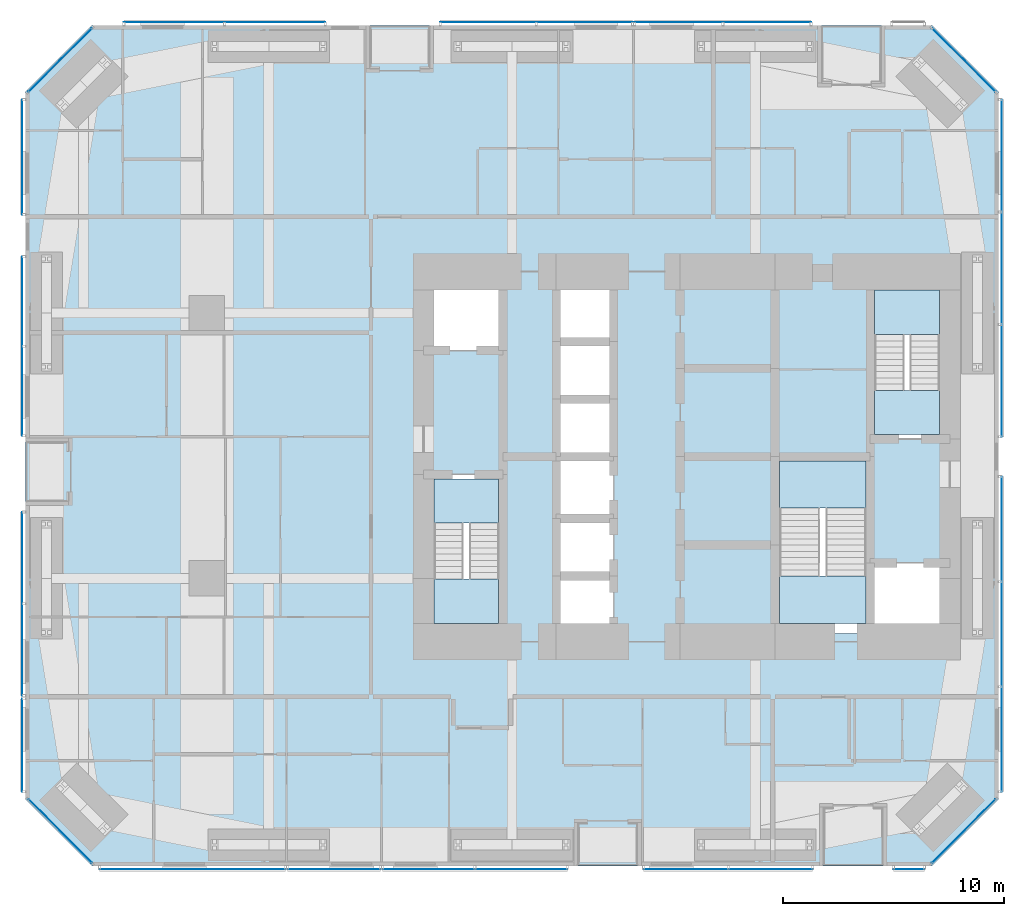
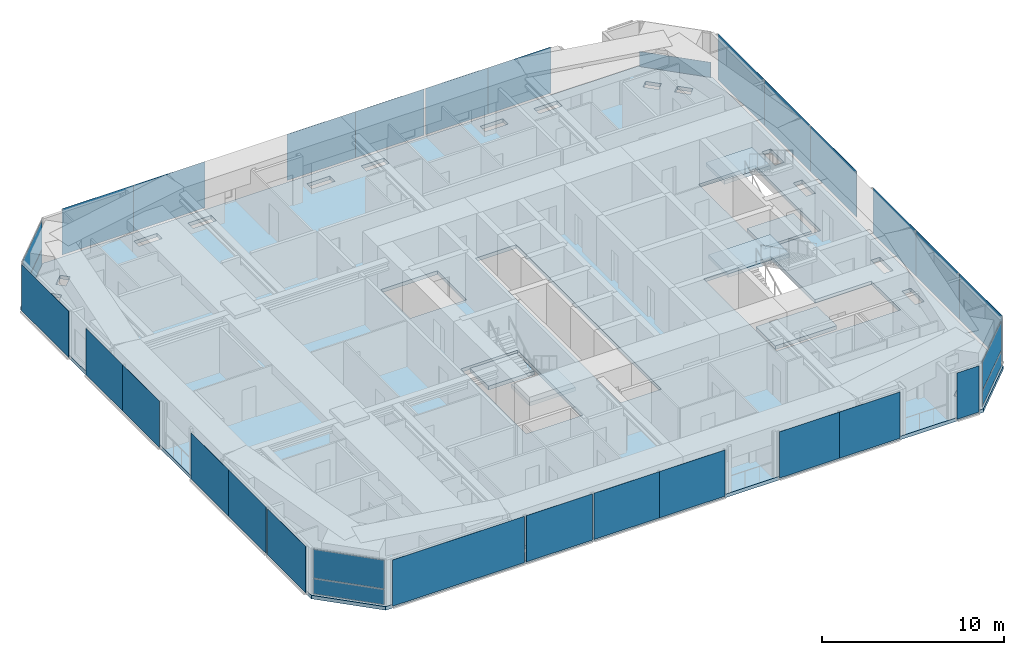
# One storey, part 16 of 24: 32 plates, 7 slabs, 21 elements without a shape of their own.
"""IFC4 building model written with IfcOpenShell, lengths in metres."""

from ifc_helpers import new_model, si_unit, direction, frame, origin, origin_2d, place, context, subcontext, project, spatial, polyline, rectangle, outline, extrude, material, layer, layer_set, type_object, element, aggregate, save


model = new_model("IFC4")

# Units and contexts
model_context = context("Model", 3, precision=1e-05, world=origin(), true_north=direction((0.0, 1.0)))
body_context = subcontext(model_context, "Body", "Model", "MODEL_VIEW")
ifc_project = project(units=[si_unit("LENGTHUNIT", "METRE"), si_unit("AREAUNIT", "SQUARE_METRE"), si_unit("VOLUMEUNIT", "CUBIC_METRE"), si_unit("PLANEANGLEUNIT", "RADIAN"), si_unit("MASSUNIT", "GRAM", prefix="KILO")], contexts=[model_context])

# Site, building, storey
site_placement = place(None, origin())
site = spatial("IfcSite", under=ifc_project, at=site_placement, CompositionType="ELEMENT")
building_placement = place(site_placement, origin())
building = spatial("IfcBuilding", under=site, at=building_placement, Name="Jalousie Tower", CompositionType="ELEMENT")
storey_placement = place(building_placement, frame((0.0, 0.0, 57.85009765625)))
storey = spatial("IfcBuildingStorey", under=building, at=storey_placement, Name="L15", CompositionType="ELEMENT", Elevation=57.85009765625)

# Curtain wall, plates
ifc_material_1 = material(Name="Aluminium curtain wall", Category="aluminium")
curtain_wall_type_1 = type_object("IfcCurtainWallType", Name="CORNER WINDOW WALL", PredefinedType="USERDEFINED", material=ifc_material_1)
curtain_wall_1_placement = place(storey_placement, origin())
curtain_wall_1 = element("IfcCurtainWall", 1, at=curtain_wall_1_placement, inside=storey, type_object=curtain_wall_type_1, Name="Corner Window Wall L15 2", ObjectType="CORNER WINDOW WALL", PredefinedType="USERDEFINED")
ifc_material_2 = material(Name="Laminated impact-rated spandrel glass", Category="glass")
ifc_layer_1 = layer(ifc_material_2, 0.028076171875)
ifc_layer_set_1 = layer_set([ifc_layer_1], Name="Laminated impact-rated spandrel glass")
plate_type_1 = type_object("IfcPlateType", Name="CORNER WINDOW WALL PANEL", PredefinedType="CURTAIN_PANEL", material=ifc_layer_set_1)
plate_1_placement = place(storey_placement, frame((44.4306640625, 1.5693359375, 0.06005859375), z_axis=(0.0, 0.0, 1.0), x_axis=(0.707106781187, 0.707106781187, 0.0)))
plate_1 = element("IfcPlate", 2, at=plate_1_placement, type_object=plate_type_1, Name="CW-C panel 1.1", PredefinedType="CURTAIN_PANEL", context=body_context, shape_type="SweptSolid", body=[
    extrude(rectangle(XDim=4.071533203125, YDim=0.028076171875, at=origin_2d()), origin(), (0.0, 0.0, 1.0), 1.010009765625),
])
plate_2_placement = place(storey_placement, frame((44.4306640625, 1.5693359375, 1.1298828125), z_axis=(0.0, 0.0, 1.0), x_axis=(0.707106781187, 0.707106781187, 0.0)))
plate_2 = element("IfcPlate", 3, at=plate_2_placement, type_object=plate_type_1, Name="CW-C panel 1.2", PredefinedType="CURTAIN_PANEL", context=body_context, shape_type="SweptSolid", body=[
    extrude(rectangle(XDim=4.071533203125, YDim=0.028076171875, at=origin_2d()), origin(), (0.0, 0.0, 1.0), 1.919921875),
])
aggregate(curtain_wall_1, [plate_1, plate_2])

# Curtain wall, plate
curtain_wall_2_placement = place(storey_placement, origin())
curtain_wall_2 = element("IfcCurtainWall", 4, at=curtain_wall_2_placement, inside=storey, type_object=curtain_wall_type_1, Name="Corner Window Wall L15 4", ObjectType="CORNER WINDOW WALL", PredefinedType="USERDEFINED")
plate_3_placement = place(storey_placement, frame((44.4306640625, 36.4306640625, 0.06005859375), z_axis=(0.0, 0.0, 1.0), x_axis=(-0.707106781187, 0.707106781187, 0.0)))
plate_3 = element("IfcPlate", 5, at=plate_3_placement, type_object=plate_type_1, Name="CW-C panel 1.1", PredefinedType="CURTAIN_PANEL", context=body_context, shape_type="SweptSolid", body=[
    extrude(rectangle(XDim=4.071533203125, YDim=0.028076171875, at=origin_2d()), origin(), (0.0, 0.0, 1.0), 1.010009765625),
])
aggregate(curtain_wall_2, [plate_3])

# Curtain wall, plates
curtain_wall_3_placement = place(storey_placement, origin())
curtain_wall_3 = element("IfcCurtainWall", 6, at=curtain_wall_3_placement, inside=storey, type_object=curtain_wall_type_1, Name="Corner Window Wall L15 6", ObjectType="CORNER WINDOW WALL", PredefinedType="USERDEFINED")
plate_4_placement = place(storey_placement, frame((3.5693359375, 36.4306640625, 0.06005859375), z_axis=(0.0, 0.0, 1.0), x_axis=(-0.707106781187, -0.707106781187, 0.0)))
plate_4 = element("IfcPlate", 7, at=plate_4_placement, type_object=plate_type_1, Name="CW-C panel 1.1", PredefinedType="CURTAIN_PANEL", context=body_context, shape_type="SweptSolid", body=[
    extrude(rectangle(XDim=4.071533203125, YDim=0.028076171875, at=origin_2d()), origin(), (0.0, 0.0, 1.0), 1.010009765625),
])
plate_5_placement = place(storey_placement, frame((3.5693359375, 36.4306640625, 1.1298828125), z_axis=(0.0, 0.0, 1.0), x_axis=(-0.707106781187, -0.707106781187, 0.0)))
plate_5 = element("IfcPlate", 8, at=plate_5_placement, type_object=plate_type_1, Name="CW-C panel 1.2", PredefinedType="CURTAIN_PANEL", context=body_context, shape_type="SweptSolid", body=[
    extrude(rectangle(XDim=4.071533203125, YDim=0.028076171875, at=origin_2d()), origin(), (0.0, 0.0, 1.0), 1.919921875),
])
aggregate(curtain_wall_3, [plate_4, plate_5])

curtain_wall_4_placement = place(storey_placement, origin())
curtain_wall_4 = element("IfcCurtainWall", 9, at=curtain_wall_4_placement, inside=storey, type_object=curtain_wall_type_1, Name="Corner Window Wall L15 8", ObjectType="CORNER WINDOW WALL", PredefinedType="USERDEFINED")
plate_6_placement = place(storey_placement, frame((3.5693359375, 1.5693359375, 0.06005859375), z_axis=(0.0, 0.0, 1.0), x_axis=(0.707106781187, -0.707106781187, 0.0)))
plate_6 = element("IfcPlate", 10, at=plate_6_placement, type_object=plate_type_1, Name="CW-C panel 1.1", PredefinedType="CURTAIN_PANEL", context=body_context, shape_type="SweptSolid", body=[
    extrude(rectangle(XDim=4.071533203125, YDim=0.028076171875, at=origin_2d()), origin(), (0.0, 0.0, 1.0), 1.010009765625),
])
plate_7_placement = place(storey_placement, frame((3.5693359375, 1.5693359375, 1.1298828125), z_axis=(0.0, 0.0, 1.0), x_axis=(0.707106781187, -0.707106781187, 0.0)))
plate_7 = element("IfcPlate", 11, at=plate_7_placement, type_object=plate_type_1, Name="CW-C panel 1.2", PredefinedType="CURTAIN_PANEL", context=body_context, shape_type="SweptSolid", body=[
    extrude(rectangle(XDim=4.071533203125, YDim=0.028076171875, at=origin_2d()), origin(), (0.0, 0.0, 1.0), 1.919921875),
])
aggregate(curtain_wall_4, [plate_6, plate_7])

# Slab
ifc_material_3 = material(Name="Concrete f'c 40 MPa", Category="concrete")
ifc_layer_2 = layer(ifc_material_3, 0.239990234375)
ifc_layer_set_2 = layer_set([ifc_layer_2], Name="Concrete f'c 40 MPa")
slab_type_1 = type_object("IfcSlabType", Name="FLOOR SLAB 240", PredefinedType="FLOOR", material=ifc_layer_set_2)
slab_1_placement = place(storey_placement, frame((0.0, 0.0, -0.239990234375)))
element("IfcSlab", 12, at=slab_1_placement, inside=storey, type_object=slab_type_1, Name="L15 floor slab", PredefinedType="FLOOR", context=body_context, shape_type="SweptSolid", body=[
    extrude(outline(polyline([(5.0, 0.0), (43.0, 0.0), (46.0, 3.0), (46.0, 35.0), (43.0, 38.0), (5.0, 38.0), (2.0, 35.0), (2.0, 3.0), (5.0, 0.0)]), holes=[polyline([(24.986083984375, 0.663818359375), (24.986083984375, 1.236083984375), (26.390380859375, 1.236083984375), (26.449951171875, 1.236083984375), (26.449951171875, 0.663818359375), (26.390380859375, 0.663818359375), (24.986083984375, 0.663818359375)]), polyline([(23.013916015625, 1.236083984375), (23.013916015625, 0.663818359375), (21.609619140625, 0.663818359375), (21.550048828125, 0.663818359375), (21.550048828125, 1.236083984375), (21.609619140625, 1.236083984375), (23.013916015625, 1.236083984375)]), polyline([(10.550048828125, 1.236083984375), (10.609619140625, 1.236083984375), (12.013916015625, 1.236083984375), (12.013916015625, 0.663818359375), (10.609619140625, 0.663818359375), (10.550048828125, 0.663818359375), (10.550048828125, 1.236083984375)]), polyline([(13.986083984375, 1.236083984375), (15.390380859375, 1.236083984375), (15.449951171875, 1.236083984375), (15.449951171875, 0.663818359375), (15.390380859375, 0.663818359375), (13.986083984375, 0.663818359375), (13.986083984375, 1.236083984375)]), polyline([(5.788330078125, 1.879150390625), (5.788330078125, 1.879150390625), (5.5859375, 1.6767578125), (5.383544921875, 1.474365234375), (4.750244140625, 2.10791015625), (5.155029296875, 2.5126953125), (5.788330078125, 1.879150390625), (5.788330078125, 1.879150390625)]), polyline([(3.96533203125, 3.7021484375), (4.5126953125, 3.155029296875), (4.10791015625, 2.750244140625), (3.560791015625, 3.29736328125), (3.474365234375, 3.383544921875), (3.879150390625, 3.788330078125), (3.96533203125, 3.7021484375), (3.96533203125, 3.7021484375)]), polyline([(3.236083984375, 10.550048828125), (2.663818359375, 10.550048828125), (2.663818359375, 10.609619140625), (2.663818359375, 12.013916015625), (3.236083984375, 12.013916015625), (3.236083984375, 10.609619140625), (3.236083984375, 10.550048828125)]), polyline([(26.0, 10.5), (26.0, 26.5), (28.60009765625, 26.5), (28.60009765625, 10.5), (26.0, 10.5)]), polyline([(20.0, 10.5), (23.60009765625, 10.5), (23.60009765625, 17.699951171875), (20.0, 17.699951171875), (20.0, 10.5)]), polyline([(3.236083984375, 15.390380859375), (3.236083984375, 13.986083984375), (2.663818359375, 13.986083984375), (2.663818359375, 15.390380859375), (2.663818359375, 15.449951171875), (3.236083984375, 15.449951171875), (3.236083984375, 15.390380859375)]), polyline([(2.663818359375, 24.013916015625), (3.236083984375, 24.013916015625), (3.236083984375, 22.609619140625), (3.236083984375, 22.550048828125), (2.663818359375, 22.550048828125), (2.663818359375, 22.609619140625), (2.663818359375, 24.013916015625)]), polyline([(20.0, 23.300048828125), (23.60009765625, 23.300048828125), (23.60009765625, 26.5), (20.0, 26.5), (20.0, 23.300048828125)]), polyline([(3.236083984375, 25.986083984375), (2.663818359375, 25.986083984375), (2.663818359375, 27.390380859375), (2.663818359375, 27.449951171875), (3.236083984375, 27.449951171875), (3.236083984375, 27.390380859375), (3.236083984375, 25.986083984375)]), polyline([(3.474365234375, 34.616455078125), (4.10791015625, 35.249755859375), (4.5126953125, 34.844970703125), (3.879150390625, 34.211669921875), (3.879150390625, 34.211669921875), (3.6767578125, 34.4140625), (3.474365234375, 34.616455078125)]), polyline([(5.788330078125, 36.120849609375), (5.73291015625, 36.0654296875), (5.7021484375, 36.03466796875), (5.7021484375, 36.03466796875), (5.155029296875, 35.4873046875), (4.750244140625, 35.89208984375), (5.383544921875, 36.525634765625), (5.5859375, 36.3232421875), (5.788330078125, 36.120849609375), (5.788330078125, 36.120849609375), (5.788330078125, 36.120849609375)]), polyline([(15.449951171875, 37.336181640625), (15.449951171875, 36.763916015625), (15.390380859375, 36.763916015625), (13.986083984375, 36.763916015625), (13.986083984375, 37.336181640625), (15.390380859375, 37.336181640625), (15.449951171875, 37.336181640625)]), polyline([(23.013916015625, 36.763916015625), (21.609619140625, 36.763916015625), (21.550048828125, 36.763916015625), (21.550048828125, 37.336181640625), (21.609619140625, 37.336181640625), (23.013916015625, 37.336181640625), (23.013916015625, 36.763916015625)]), polyline([(10.550048828125, 36.763916015625), (10.550048828125, 37.336181640625), (10.609619140625, 37.336181640625), (12.013916015625, 37.336181640625), (12.013916015625, 36.763916015625), (10.609619140625, 36.763916015625), (10.550048828125, 36.763916015625)]), polyline([(24.986083984375, 37.336181640625), (26.390380859375, 37.336181640625), (26.449951171875, 37.336181640625), (26.449951171875, 36.763916015625), (26.390380859375, 36.763916015625), (24.986083984375, 36.763916015625), (24.986083984375, 37.336181640625)]), polyline([(32.609619140625, 0.663818359375), (32.550048828125, 0.663818359375), (32.550048828125, 1.236083984375), (32.609619140625, 1.236083984375), (34.013916015625, 1.236083984375), (34.013916015625, 0.663818359375), (32.609619140625, 0.663818359375)]), polyline([(37.390380859375, 1.236083984375), (37.449951171875, 1.236083984375), (37.449951171875, 0.663818359375), (37.390380859375, 0.663818359375), (35.986083984375, 0.663818359375), (35.986083984375, 1.236083984375), (37.390380859375, 1.236083984375)]), polyline([(42.616455078125, 1.474365234375), (42.4140625, 1.6767578125), (42.211669921875, 1.879150390625), (42.211669921875, 1.879150390625), (42.211669921875, 1.879150390625), (42.844970703125, 2.5126953125), (43.249755859375, 2.10791015625), (42.616455078125, 1.474365234375)]), polyline([(44.03466796875, 3.7021484375), (44.03466796875, 3.7021484375), (44.060791015625, 3.728271484375), (44.120849609375, 3.788330078125), (44.120849609375, 3.788330078125), (44.120849609375, 3.788330078125), (44.3232421875, 3.5859375), (44.525634765625, 3.383544921875), (43.89208984375, 2.750244140625), (43.4873046875, 3.155029296875), (44.03466796875, 3.7021484375)]), polyline([(45.336181640625, 10.550048828125), (44.763916015625, 10.550048828125), (44.763916015625, 10.609619140625), (44.763916015625, 12.013916015625), (45.336181640625, 12.013916015625), (45.336181640625, 10.609619140625), (45.336181640625, 10.550048828125)]), polyline([(35.89990234375, 10.5), (35.89990234375, 18.5), (40.199951171875, 18.5), (40.199951171875, 13.699951171875), (43.800048828125, 13.699951171875), (43.800048828125, 10.5), (35.89990234375, 10.5)]), polyline([(45.336181640625, 13.986083984375), (44.763916015625, 13.986083984375), (44.763916015625, 15.390380859375), (44.763916015625, 15.449951171875), (45.336181640625, 15.449951171875), (45.336181640625, 15.390380859375), (45.336181640625, 13.986083984375)]), polyline([(40.199951171875, 19.300048828125), (43.800048828125, 19.300048828125), (43.800048828125, 26.5), (40.199951171875, 26.5), (40.199951171875, 19.300048828125)]), polyline([(45.336181640625, 22.550048828125), (44.763916015625, 22.550048828125), (44.763916015625, 22.609619140625), (44.763916015625, 24.013916015625), (45.336181640625, 24.013916015625), (45.336181640625, 22.609619140625), (45.336181640625, 22.550048828125)]), polyline([(45.336181640625, 27.390380859375), (45.336181640625, 25.986083984375), (44.763916015625, 25.986083984375), (44.763916015625, 27.390380859375), (44.763916015625, 27.449951171875), (45.336181640625, 27.449951171875), (45.336181640625, 27.390380859375)]), polyline([(44.120849609375, 34.211669921875), (44.03466796875, 34.2978515625), (43.4873046875, 34.844970703125), (43.89208984375, 35.249755859375), (44.525634765625, 34.616455078125), (44.525634765625, 34.616455078125), (44.525634765625, 34.616455078125), (44.3232421875, 34.4140625), (44.120849609375, 34.211669921875)]), polyline([(42.616455078125, 36.525634765625), (42.616455078125, 36.525634765625), (43.249755859375, 35.89208984375), (42.844970703125, 35.4873046875), (42.2978515625, 36.03466796875), (42.211669921875, 36.120849609375), (42.4140625, 36.3232421875), (42.616455078125, 36.525634765625), (42.616455078125, 36.525634765625)]), polyline([(37.390380859375, 37.336181640625), (37.449951171875, 37.336181640625), (37.449951171875, 36.763916015625), (37.390380859375, 36.763916015625), (35.986083984375, 36.763916015625), (35.986083984375, 37.336181640625), (37.390380859375, 37.336181640625)]), polyline([(34.013916015625, 37.336181640625), (34.013916015625, 36.763916015625), (32.609619140625, 36.763916015625), (32.550048828125, 36.763916015625), (32.550048828125, 37.336181640625), (32.609619140625, 37.336181640625), (34.013916015625, 37.336181640625)])]), origin(), (0.0, 0.0, 1.0), 0.239990234375),
])

# Curtain wall, plate
ifc_material_4 = material(Name="Perforated aluminium sheet", Category="aluminium")
curtain_wall_type_2 = type_object("IfcCurtainWallType", Name="SOLAR SCREEN SS-1", PredefinedType="USERDEFINED", material=ifc_material_4)
curtain_wall_5_placement = place(storey_placement, origin())
curtain_wall_5 = element("IfcCurtainWall", 13, at=curtain_wall_5_placement, inside=storey, type_object=curtain_wall_type_2, Name="Solar screen L15", ObjectType="SOLAR SCREEN SS-1", PredefinedType="USERDEFINED")
ifc_material_5 = material(Name="Perforated aluminium sheet", Category="aluminium")
ifc_layer_3 = layer(ifc_material_5, 0.006103515625)
ifc_layer_set_3 = layer_set([ifc_layer_3], Name="Perforated aluminium sheet")
plate_type_2 = type_object("IfcPlateType", Name="SOLAR SCREEN SS-1 PANEL", PredefinedType="CURTAIN_PANEL", material=ifc_layer_set_3)
plate_8_placement = place(storey_placement, frame((9.55078125, -0.150390625, 0.0), z_axis=(0.0, 0.0, 1.0), x_axis=(1.0, 0.0, 0.0)))
plate_8 = element("IfcPlate", 14, at=plate_8_placement, type_object=plate_type_2, Name="SS1 perforated panel 1", PredefinedType="CURTAIN_PANEL", context=body_context, shape_type="SweptSolid", body=[
    extrude(rectangle(XDim=8.398681640625, YDim=0.006103515625, at=origin_2d()), origin(), (0.0, 0.0, 1.0), 3.110107421875),
])
aggregate(curtain_wall_5, [plate_8])

curtain_wall_6_placement = place(storey_placement, origin())
curtain_wall_6 = element("IfcCurtainWall", 15, at=curtain_wall_6_placement, inside=storey, type_object=curtain_wall_type_2, Name="Solar screen L15", ObjectType="SOLAR SCREEN SS-1", PredefinedType="USERDEFINED")
plate_9_placement = place(storey_placement, frame((15.949951171875, -0.150390625, 0.0), z_axis=(0.0, 0.0, 1.0), x_axis=(1.0, 0.0, 0.0)))
plate_9 = element("IfcPlate", 16, at=plate_9_placement, type_object=plate_type_2, Name="SS1 perforated panel 1", PredefinedType="CURTAIN_PANEL", context=body_context, shape_type="SweptSolid", body=[
    extrude(rectangle(XDim=4.199951171875, YDim=0.006103515625, at=origin_2d()), origin(), (0.0, 0.0, 1.0), 3.110107421875),
])
aggregate(curtain_wall_6, [plate_9])

# Curtain wall, plates
curtain_wall_7_placement = place(storey_placement, origin())
curtain_wall_7 = element("IfcCurtainWall", 17, at=curtain_wall_7_placement, inside=storey, type_object=curtain_wall_type_2, Name="Solar screen L15", ObjectType="SOLAR SCREEN SS-1", PredefinedType="USERDEFINED")
plate_10_placement = place(storey_placement, frame((20.237548828125, -0.150390625, 0.0), z_axis=(0.0, 0.0, 1.0), x_axis=(1.0, 0.0, 0.0)))
plate_10 = element("IfcPlate", 18, at=plate_10_placement, type_object=plate_type_2, Name="SS1 perforated panel 1", PredefinedType="CURTAIN_PANEL", context=body_context, shape_type="SweptSolid", body=[
    extrude(rectangle(XDim=4.175048828125, YDim=0.006103515625, at=origin_2d()), origin(), (0.0, 0.0, 1.0), 3.110107421875),
])
plate_11_placement = place(storey_placement, frame((24.41259765625, -0.150390625, 0.0), z_axis=(0.0, 0.0, 1.0), x_axis=(1.0, 0.0, 0.0)))
plate_11 = element("IfcPlate", 19, at=plate_11_placement, type_object=plate_type_2, Name="SS1 perforated panel 2", PredefinedType="CURTAIN_PANEL", context=body_context, shape_type="SweptSolid", body=[
    extrude(rectangle(XDim=4.175048828125, YDim=0.006103515625, at=origin_2d()), origin(), (0.0, 0.0, 1.0), 3.110107421875),
])
aggregate(curtain_wall_7, [plate_10, plate_11])

curtain_wall_8_placement = place(storey_placement, origin())
curtain_wall_8 = element("IfcCurtainWall", 20, at=curtain_wall_8_placement, inside=storey, type_object=curtain_wall_type_2, Name="Solar screen L15", ObjectType="SOLAR SCREEN SS-1", PredefinedType="USERDEFINED")
plate_12_placement = place(storey_placement, frame((31.862548828125, -0.150390625, 0.0), z_axis=(0.0, 0.0, 1.0), x_axis=(1.0, 0.0, 0.0)))
plate_12 = element("IfcPlate", 21, at=plate_12_placement, type_object=plate_type_2, Name="SS1 perforated panel 1", PredefinedType="CURTAIN_PANEL", context=body_context, shape_type="SweptSolid", body=[
    extrude(rectangle(XDim=3.824951171875, YDim=0.006103515625, at=origin_2d()), origin(), (0.0, 0.0, 1.0), 3.110107421875),
])
plate_13_placement = place(storey_placement, frame((35.6875, -0.150390625, 0.0), z_axis=(0.0, 0.0, 1.0), x_axis=(1.0, 0.0, 0.0)))
plate_13 = element("IfcPlate", 22, at=plate_13_placement, type_object=plate_type_2, Name="SS1 perforated panel 2", PredefinedType="CURTAIN_PANEL", context=body_context, shape_type="SweptSolid", body=[
    extrude(rectangle(XDim=3.824951171875, YDim=0.006103515625, at=origin_2d()), origin(), (0.0, 0.0, 1.0), 3.110107421875),
])
aggregate(curtain_wall_8, [plate_12, plate_13])

# Curtain wall, plate
curtain_wall_9_placement = place(storey_placement, origin())
curtain_wall_9 = element("IfcCurtainWall", 23, at=curtain_wall_9_placement, inside=storey, type_object=curtain_wall_type_2, Name="Solar screen L15", ObjectType="SOLAR SCREEN SS-1", PredefinedType="USERDEFINED")
plate_14_placement = place(storey_placement, frame((41.94921875, -0.150390625, 0.0), z_axis=(0.0, 0.0, 1.0), x_axis=(1.0, 0.0, 0.0)))
plate_14 = element("IfcPlate", 24, at=plate_14_placement, type_object=plate_type_2, Name="SS1 perforated panel 1", PredefinedType="CURTAIN_PANEL", context=body_context, shape_type="SweptSolid", body=[
    extrude(rectangle(XDim=1.398681640625, YDim=0.006103515625, at=origin_2d()), origin(), (0.0, 0.0, 1.0), 3.110107421875),
])
aggregate(curtain_wall_9, [plate_14])

# Curtain wall, plates
curtain_wall_10_placement = place(storey_placement, origin())
curtain_wall_10 = element("IfcCurtainWall", 25, at=curtain_wall_10_placement, inside=storey, type_object=curtain_wall_type_2, Name="Solar screen L15", ObjectType="SOLAR SCREEN SS-1", PredefinedType="USERDEFINED")
plate_15_placement = place(storey_placement, frame((46.150390625, 5.72607421875, 0.0), z_axis=(0.0, 0.0, 1.0), x_axis=(0.0, 1.0, 0.0)))
plate_15 = element("IfcPlate", 26, at=plate_15_placement, type_object=plate_type_2, Name="SS1 perforated panel 1", PredefinedType="CURTAIN_PANEL", context=body_context, shape_type="SweptSolid", body=[
    extrude(rectangle(XDim=4.74951171875, YDim=0.006103515625, at=origin_2d()), origin(), (0.0, 0.0, 1.0), 3.110107421875),
])
plate_16_placement = place(storey_placement, frame((46.150390625, 10.4755859375, 0.0), z_axis=(0.0, 0.0, 1.0), x_axis=(0.0, 1.0, 0.0)))
plate_16 = element("IfcPlate", 27, at=plate_16_placement, type_object=plate_type_2, Name="SS1 perforated panel 2", PredefinedType="CURTAIN_PANEL", context=body_context, shape_type="SweptSolid", body=[
    extrude(rectangle(XDim=4.74951171875, YDim=0.006103515625, at=origin_2d()), origin(), (0.0, 0.0, 1.0), 3.110107421875),
])
plate_17_placement = place(storey_placement, frame((46.150390625, 15.22509765625, 0.0), z_axis=(0.0, 0.0, 1.0), x_axis=(0.0, 1.0, 0.0)))
plate_17 = element("IfcPlate", 28, at=plate_17_placement, type_object=plate_type_2, Name="SS1 perforated panel 3", PredefinedType="CURTAIN_PANEL", context=body_context, shape_type="SweptSolid", body=[
    extrude(rectangle(XDim=4.74951171875, YDim=0.006103515625, at=origin_2d()), origin(), (0.0, 0.0, 1.0), 3.110107421875),
])
aggregate(curtain_wall_10, [plate_15, plate_16, plate_17])

curtain_wall_11_placement = place(storey_placement, origin())
curtain_wall_11 = element("IfcCurtainWall", 29, at=curtain_wall_11_placement, inside=storey, type_object=curtain_wall_type_2, Name="Solar screen L15", ObjectType="SOLAR SCREEN SS-1", PredefinedType="USERDEFINED")
plate_18_placement = place(storey_placement, frame((46.150390625, 21.94140625, 0.0), z_axis=(0.0, 0.0, 1.0), x_axis=(0.0, 1.0, 0.0)))
plate_18 = element("IfcPlate", 30, at=plate_18_placement, type_object=plate_type_2, Name="SS1 perforated panel 1", PredefinedType="CURTAIN_PANEL", context=body_context, shape_type="SweptSolid", body=[
    extrude(rectangle(XDim=5.0830078125, YDim=0.006103515625, at=origin_2d()), origin(), (0.0, 0.0, 1.0), 3.110107421875),
])
plate_19_placement = place(storey_placement, frame((46.150390625, 27.0244140625, 0.0), z_axis=(0.0, 0.0, 1.0), x_axis=(0.0, 1.0, 0.0)))
plate_19 = element("IfcPlate", 31, at=plate_19_placement, type_object=plate_type_2, Name="SS1 perforated panel 2", PredefinedType="CURTAIN_PANEL", context=body_context, shape_type="SweptSolid", body=[
    extrude(rectangle(XDim=5.0830078125, YDim=0.006103515625, at=origin_2d()), origin(), (0.0, 0.0, 1.0), 3.110107421875),
])
plate_20_placement = place(storey_placement, frame((46.150390625, 32.107177734375, 0.0), z_axis=(0.0, 0.0, 1.0), x_axis=(0.0, 1.0, 0.0)))
plate_20 = element("IfcPlate", 32, at=plate_20_placement, type_object=plate_type_2, Name="SS1 perforated panel 3", PredefinedType="CURTAIN_PANEL", context=body_context, shape_type="SweptSolid", body=[
    extrude(rectangle(XDim=5.0830078125, YDim=0.006103515625, at=origin_2d()), origin(), (0.0, 0.0, 1.0), 3.110107421875),
])
aggregate(curtain_wall_11, [plate_18, plate_19, plate_20])

curtain_wall_12_placement = place(storey_placement, origin())
curtain_wall_12 = element("IfcCurtainWall", 33, at=curtain_wall_12_placement, inside=storey, type_object=curtain_wall_type_2, Name="Solar screen L15", ObjectType="SOLAR SCREEN SS-1", PredefinedType="USERDEFINED")
plate_21_placement = place(storey_placement, frame((35.5302734375, 38.150390625, 0.0), z_axis=(0.0, 0.0, 1.0), x_axis=(-1.0, 0.0, 0.0)))
plate_21 = element("IfcPlate", 34, at=plate_21_placement, type_object=plate_type_2, Name="SS1 perforated panel 1", PredefinedType="CURTAIN_PANEL", context=body_context, shape_type="SweptSolid", body=[
    extrude(rectangle(XDim=3.98681640625, YDim=0.006103515625, at=origin_2d()), origin(), (0.0, 0.0, 1.0), 3.110107421875),
])
plate_22_placement = place(storey_placement, frame((31.54345703125, 38.150390625, 0.0), z_axis=(0.0, 0.0, 1.0), x_axis=(-1.0, 0.0, 0.0)))
plate_22 = element("IfcPlate", 35, at=plate_22_placement, type_object=plate_type_2, Name="SS1 perforated panel 2", PredefinedType="CURTAIN_PANEL", context=body_context, shape_type="SweptSolid", body=[
    extrude(rectangle(XDim=3.98681640625, YDim=0.006103515625, at=origin_2d()), origin(), (0.0, 0.0, 1.0), 3.110107421875),
])
aggregate(curtain_wall_12, [plate_21, plate_22])

curtain_wall_13_placement = place(storey_placement, origin())
curtain_wall_13 = element("IfcCurtainWall", 36, at=curtain_wall_13_placement, inside=storey, type_object=curtain_wall_type_2, Name="Solar screen L15", ObjectType="SOLAR SCREEN SS-1", PredefinedType="USERDEFINED")
plate_23_placement = place(storey_placement, frame((27.27490234375, 38.150390625, 0.0), z_axis=(0.0, 0.0, 1.0), x_axis=(-1.0, 0.0, 0.0)))
plate_23 = element("IfcPlate", 37, at=plate_23_placement, type_object=plate_type_2, Name="SS1 perforated panel 1", PredefinedType="CURTAIN_PANEL", context=body_context, shape_type="SweptSolid", body=[
    extrude(rectangle(XDim=4.35009765625, YDim=0.006103515625, at=origin_2d()), origin(), (0.0, 0.0, 1.0), 3.110107421875),
])
plate_24_placement = place(storey_placement, frame((22.925048828125, 38.150390625, 0.0), z_axis=(0.0, 0.0, 1.0), x_axis=(-1.0, 0.0, 0.0)))
plate_24 = element("IfcPlate", 38, at=plate_24_placement, type_object=plate_type_2, Name="SS1 perforated panel 2", PredefinedType="CURTAIN_PANEL", context=body_context, shape_type="SweptSolid", body=[
    extrude(rectangle(XDim=4.35009765625, YDim=0.006103515625, at=origin_2d()), origin(), (0.0, 0.0, 1.0), 3.110107421875),
])
aggregate(curtain_wall_13, [plate_23, plate_24])

curtain_wall_14_placement = place(storey_placement, origin())
curtain_wall_14 = element("IfcCurtainWall", 39, at=curtain_wall_14_placement, inside=storey, type_object=curtain_wall_type_2, Name="Solar screen L15", ObjectType="SOLAR SCREEN SS-1", PredefinedType="USERDEFINED")
plate_25_placement = place(storey_placement, frame((13.27490234375, 38.150390625, 0.0), z_axis=(0.0, 0.0, 1.0), x_axis=(-1.0, 0.0, 0.0)))
plate_25 = element("IfcPlate", 40, at=plate_25_placement, type_object=plate_type_2, Name="SS1 perforated panel 1", PredefinedType="CURTAIN_PANEL", context=body_context, shape_type="SweptSolid", body=[
    extrude(rectangle(XDim=4.550048828125, YDim=0.006103515625, at=origin_2d()), origin(), (0.0, 0.0, 1.0), 3.110107421875),
])
plate_26_placement = place(storey_placement, frame((8.72509765625, 38.150390625, 0.0), z_axis=(0.0, 0.0, 1.0), x_axis=(-1.0, 0.0, 0.0)))
plate_26 = element("IfcPlate", 41, at=plate_26_placement, type_object=plate_type_2, Name="SS1 perforated panel 2", PredefinedType="CURTAIN_PANEL", context=body_context, shape_type="SweptSolid", body=[
    extrude(rectangle(XDim=4.550048828125, YDim=0.006103515625, at=origin_2d()), origin(), (0.0, 0.0, 1.0), 3.110107421875),
])
aggregate(curtain_wall_14, [plate_25, plate_26])

# Curtain wall, plate
curtain_wall_15_placement = place(storey_placement, origin())
curtain_wall_15 = element("IfcCurtainWall", 42, at=curtain_wall_15_placement, inside=storey, type_object=curtain_wall_type_2, Name="Solar screen L15", ObjectType="SOLAR SCREEN SS-1", PredefinedType="USERDEFINED")
plate_27_placement = place(storey_placement, frame((1.849609375, 32.04931640625, 0.0), z_axis=(0.0, 0.0, 1.0), x_axis=(0.0, -1.0, 0.0)))
plate_27 = element("IfcPlate", 43, at=plate_27_placement, type_object=plate_type_2, Name="SS1 perforated panel 1", PredefinedType="CURTAIN_PANEL", context=body_context, shape_type="SweptSolid", body=[
    extrude(rectangle(XDim=5.19873046875, YDim=0.006103515625, at=origin_2d()), origin(), (0.0, 0.0, 1.0), 3.110107421875),
])
aggregate(curtain_wall_15, [plate_27])

# Curtain wall, plates
curtain_wall_16_placement = place(storey_placement, origin())
curtain_wall_16 = element("IfcCurtainWall", 44, at=curtain_wall_16_placement, inside=storey, type_object=curtain_wall_type_2, Name="Solar screen L15", ObjectType="SOLAR SCREEN SS-1", PredefinedType="USERDEFINED")
plate_28_placement = place(storey_placement, frame((1.849609375, 25.52490234375, 0.0), z_axis=(0.0, 0.0, 1.0), x_axis=(0.0, -1.0, 0.0)))
plate_28 = element("IfcPlate", 45, at=plate_28_placement, type_object=plate_type_2, Name="SS1 perforated panel 1", PredefinedType="CURTAIN_PANEL", context=body_context, shape_type="SweptSolid", body=[
    extrude(rectangle(XDim=4.050048828125, YDim=0.006103515625, at=origin_2d()), origin(), (0.0, 0.0, 1.0), 3.110107421875),
])
plate_29_placement = place(storey_placement, frame((1.849609375, 21.47509765625, 0.0), z_axis=(0.0, 0.0, 1.0), x_axis=(0.0, -1.0, 0.0)))
plate_29 = element("IfcPlate", 46, at=plate_29_placement, type_object=plate_type_2, Name="SS1 perforated panel 2", PredefinedType="CURTAIN_PANEL", context=body_context, shape_type="SweptSolid", body=[
    extrude(rectangle(XDim=4.050048828125, YDim=0.006103515625, at=origin_2d()), origin(), (0.0, 0.0, 1.0), 3.110107421875),
])
aggregate(curtain_wall_16, [plate_28, plate_29])

curtain_wall_17_placement = place(storey_placement, origin())
curtain_wall_17 = element("IfcCurtainWall", 47, at=curtain_wall_17_placement, inside=storey, type_object=curtain_wall_type_2, Name="Solar screen L15", ObjectType="SOLAR SCREEN SS-1", PredefinedType="USERDEFINED")
plate_30_placement = place(storey_placement, frame((1.849609375, 13.925048828125, 0.0), z_axis=(0.0, 0.0, 1.0), x_axis=(0.0, -1.0, 0.0)))
plate_30 = element("IfcPlate", 48, at=plate_30_placement, type_object=plate_type_2, Name="SS1 perforated panel 1", PredefinedType="CURTAIN_PANEL", context=body_context, shape_type="SweptSolid", body=[
    extrude(rectangle(XDim=4.14990234375, YDim=0.006103515625, at=origin_2d()), origin(), (0.0, 0.0, 1.0), 3.110107421875),
])
plate_31_placement = place(storey_placement, frame((1.849609375, 9.77490234375, 0.0), z_axis=(0.0, 0.0, 1.0), x_axis=(0.0, -1.0, 0.0)))
plate_31 = element("IfcPlate", 49, at=plate_31_placement, type_object=plate_type_2, Name="SS1 perforated panel 2", PredefinedType="CURTAIN_PANEL", context=body_context, shape_type="SweptSolid", body=[
    extrude(rectangle(XDim=4.14990234375, YDim=0.006103515625, at=origin_2d()), origin(), (0.0, 0.0, 1.0), 3.110107421875),
])
aggregate(curtain_wall_17, [plate_30, plate_31])

# Curtain wall, plate
curtain_wall_18_placement = place(storey_placement, origin())
curtain_wall_18 = element("IfcCurtainWall", 50, at=curtain_wall_18_placement, inside=storey, type_object=curtain_wall_type_2, Name="Solar screen L15", ObjectType="SOLAR SCREEN SS-1", PredefinedType="USERDEFINED")
plate_32_placement = place(storey_placement, frame((1.849609375, 5.45068359375, 0.0), z_axis=(0.0, 0.0, 1.0), x_axis=(0.0, -1.0, 0.0)))
plate_32 = element("IfcPlate", 51, at=plate_32_placement, type_object=plate_type_2, Name="SS1 perforated panel 1", PredefinedType="CURTAIN_PANEL", context=body_context, shape_type="SweptSolid", body=[
    extrude(rectangle(XDim=4.19873046875, YDim=0.006103515625, at=origin_2d()), origin(), (0.0, 0.0, 1.0), 3.110107421875),
])
aggregate(curtain_wall_18, [plate_32])

# Stair, slabs
ifc_material_6 = material(Name="Concrete f'c 40 MPa", Category="concrete")
stair_type = type_object("IfcStairType", Name="EXIT STAIR", PredefinedType="HALF_TURN_STAIR", material=ifc_material_6)
stair_1_placement = place(storey_placement, origin())
stair_1 = element("IfcStair", 52, at=stair_1_placement, inside=storey, type_object=stair_type, Name="Exit stair A L15", PredefinedType="HALF_TURN_STAIR")
ifc_material_7 = material(Name="Concrete f'c 40 MPa", Category="concrete")
ifc_layer_4 = layer(ifc_material_7, 0.25)
ifc_layer_set_4 = layer_set([ifc_layer_4], Name="Concrete f'c 40 MPa")
slab_type_2 = type_object("IfcSlabType", Name="STAIR LANDING 250", PredefinedType="LANDING", material=ifc_layer_set_4)
slab_2_placement = place(storey_placement, frame((0.0, 0.0, -0.25)))
slab_2 = element("IfcSlab", 53, at=slab_2_placement, type_object=slab_type_2, Name="ST-A landing 1", PredefinedType="LANDING", context=body_context, shape_type="SweptSolid", body=[
    extrude(outline(polyline([(20.47509765625, 15.49755859375), (23.39990234375, 15.49755859375), (23.39990234375, 17.5), (20.47509765625, 17.5), (20.47509765625, 15.49755859375)])), origin(), (0.0, 0.0, 1.0), 0.25),
])
slab_3_placement = place(storey_placement, frame((0.0, 0.0, 1.4248046875)))
slab_3 = element("IfcSlab", 54, at=slab_3_placement, type_object=slab_type_2, Name="ST-A landing 2", PredefinedType="LANDING", context=body_context, shape_type="SweptSolid", body=[
    extrude(outline(polyline([(20.47509765625, 10.949951171875), (23.39990234375, 10.949951171875), (23.39990234375, 12.9775390625), (20.47509765625, 12.9775390625), (20.47509765625, 10.949951171875)])), origin(), (0.0, 0.0, 1.0), 0.25),
])
aggregate(stair_1, [slab_2, slab_3])

stair_2_placement = place(storey_placement, origin())
stair_2 = element("IfcStair", 55, at=stair_2_placement, inside=storey, type_object=stair_type, Name="Exit stair B L15", PredefinedType="HALF_TURN_STAIR")
slab_4_placement = place(storey_placement, frame((0.0, 0.0, -0.25)))
slab_4 = element("IfcSlab", 56, at=slab_4_placement, type_object=slab_type_2, Name="ST-B landing 1", PredefinedType="LANDING", context=body_context, shape_type="SweptSolid", body=[
    extrude(outline(polyline([(40.39990234375, 19.5), (43.324951171875, 19.5), (43.324951171875, 21.50244140625), (40.39990234375, 21.50244140625), (40.39990234375, 19.5)])), origin(), (0.0, 0.0, 1.0), 0.25),
])
slab_5_placement = place(storey_placement, frame((0.0, 0.0, 1.4248046875)))
slab_5 = element("IfcSlab", 57, at=slab_5_placement, type_object=slab_type_2, Name="ST-B landing 2", PredefinedType="LANDING", context=body_context, shape_type="SweptSolid", body=[
    extrude(outline(polyline([(40.39990234375, 24.0224609375), (43.324951171875, 24.0224609375), (43.324951171875, 26.050048828125), (40.39990234375, 26.050048828125), (40.39990234375, 24.0224609375)])), origin(), (0.0, 0.0, 1.0), 0.25),
])
aggregate(stair_2, [slab_4, slab_5])

stair_3_placement = place(storey_placement, origin())
stair_3 = element("IfcStair", 58, at=stair_3_placement, inside=storey, type_object=stair_type, Name="Exit stair C L15", PredefinedType="HALF_TURN_STAIR")
slab_6_placement = place(storey_placement, frame((0.0, 0.0, -0.25)))
slab_6 = element("IfcSlab", 59, at=slab_6_placement, type_object=slab_type_2, Name="ST-C landing 1", PredefinedType="LANDING", context=body_context, shape_type="SweptSolid", body=[
    extrude(outline(polyline([(36.10009765625, 10.949951171875), (40.0, 10.949951171875), (40.0, 13.097412109375), (36.10009765625, 13.097412109375), (36.10009765625, 10.949951171875)])), origin(), (0.0, 0.0, 1.0), 0.25),
])
slab_7_placement = place(storey_placement, frame((0.0, 0.0, 1.4248046875)))
slab_7 = element("IfcSlab", 60, at=slab_7_placement, type_object=slab_type_2, Name="ST-C landing 2", PredefinedType="LANDING", context=body_context, shape_type="SweptSolid", body=[
    extrude(outline(polyline([(36.10009765625, 16.177490234375), (40.0, 16.177490234375), (40.0, 18.300048828125), (36.10009765625, 18.300048828125), (36.10009765625, 16.177490234375)])), origin(), (0.0, 0.0, 1.0), 0.25),
])
aggregate(stair_3, [slab_6, slab_7])

save(model, "model.ifc")
